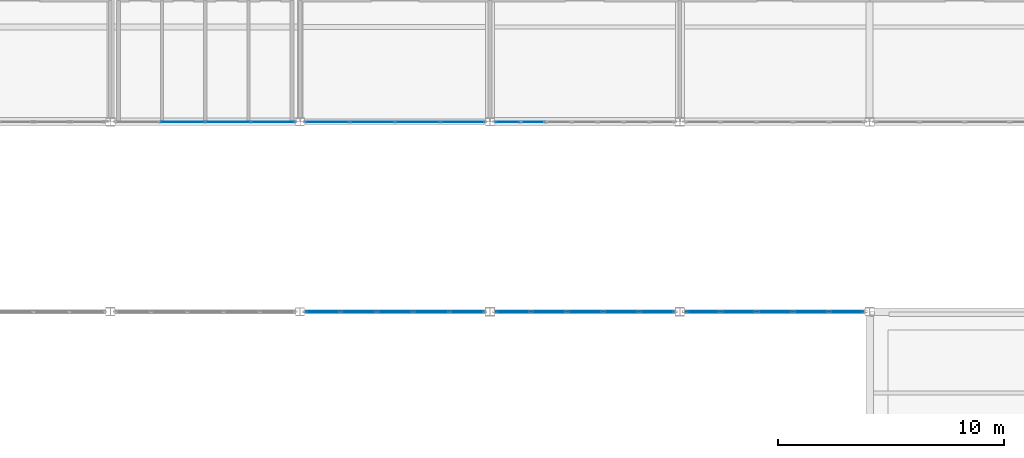
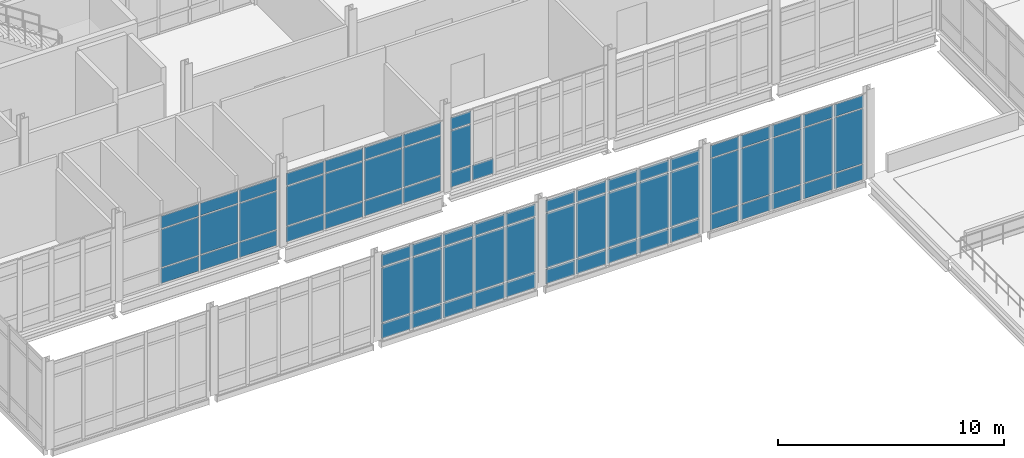
# One storey, part 119 of 186: 70 plates, 6 elements without a shape of their own.
"""IFC4 building model written with IfcOpenShell, lengths in metres."""

from ifc_helpers import new_model, si_unit, direction, frame, origin, origin_2d, place, context, subcontext, project, spatial, rectangle, extrude, material, layer, layer_set, type_object, element, aggregate, save


model = new_model("IFC4")

# Units and contexts
model_context = context("Model", 3, precision=1e-05, world=origin(), true_north=direction((0.0, 1.0)))
body_context = subcontext(model_context, "Body", "Model", "MODEL_VIEW")
ifc_project = project(units=[si_unit("LENGTHUNIT", "METRE"), si_unit("AREAUNIT", "SQUARE_METRE"), si_unit("VOLUMEUNIT", "CUBIC_METRE"), si_unit("PLANEANGLEUNIT", "RADIAN"), si_unit("MASSUNIT", "GRAM", prefix="KILO")], contexts=[model_context])

# Site, building, storey
site_placement = place(None, origin())
site = spatial("IfcSite", under=ifc_project, at=site_placement, CompositionType="ELEMENT")
building_placement = place(site_placement, origin())
building = spatial("IfcBuilding", under=site, at=building_placement, Name="Calvrana Isthmian Art Gallery", CompositionType="ELEMENT")
storey_placement = place(building_placement, frame((0.0, 0.0, 5.39990234375)))
storey = spatial("IfcBuildingStorey", under=building, at=storey_placement, Name="L01", CompositionType="ELEMENT", Elevation=5.39990234375)

# Curtain wall, plates
ifc_material_1 = material(Name="Anodized bronze aluminium 6063-T6", Category="aluminium")
ifc_layer_1 = layer(ifc_material_1, 0.179931640625, Name="Anodized bronze aluminium 6063-T6")
ifc_layer_set_1 = layer_set([ifc_layer_1], Name="Anodized bronze aluminium 6063-T6")
curtain_wall_type_1 = type_object("IfcCurtainWallType", Name="CW-STICK-080X47", PredefinedType="NOTDEFINED", material=ifc_layer_set_1)
curtain_wall_1_placement = place(storey_placement, origin())
curtain_wall_1 = element("IfcCurtainWall", 1, at=curtain_wall_1_placement, inside=storey, type_object=curtain_wall_type_1, Name="Curtain wall CW-003", PredefinedType="NOTDEFINED")
ifc_material_2 = material(Name="Low-E laminated solar glass", Category="glass")
ifc_layer_2 = layer(ifc_material_2, 0.028076171875, Name="Low-E laminated solar glass")
ifc_layer_set_2 = layer_set([ifc_layer_2], Name="Low-E laminated solar glass")
plate_type = type_object("IfcPlateType", Name="CWP-VISION-28", PredefinedType="CURTAIN_PANEL", material=ifc_layer_set_2)
plate_1_placement = place(storey_placement, frame((45.781494140625, 21.60009765625, -0.079833984375), z_axis=(0.0, 0.0, 1.0), x_axis=(-1.0, 0.0, 0.0)))
plate_1 = element("IfcPlate", 2, at=plate_1_placement, type_object=plate_type, Name="CW-003 panel 1.1", PredefinedType="CURTAIN_PANEL", context=body_context, shape_type="SweptSolid", body=[
    extrude(rectangle(XDim=1.497802734375, YDim=0.028076171875, at=origin_2d()), origin(), (0.0, 0.0, 1.0), 0.794921875),
])
plate_2_placement = place(storey_placement, frame((45.781494140625, 21.60009765625, 0.78515625), z_axis=(0.0, 0.0, 1.0), x_axis=(-1.0, 0.0, 0.0)))
plate_2 = element("IfcPlate", 3, at=plate_2_placement, type_object=plate_type, Name="CW-003 panel 1.2", PredefinedType="CURTAIN_PANEL", context=body_context, shape_type="SweptSolid", body=[
    extrude(rectangle(XDim=1.497802734375, YDim=0.028076171875, at=origin_2d()), origin(), (0.0, 0.0, 1.0), 2.949951171875),
])
plate_3_placement = place(storey_placement, frame((45.781494140625, 21.60009765625, 3.80517578125), z_axis=(0.0, 0.0, 1.0), x_axis=(-1.0, 0.0, 0.0)))
plate_3 = element("IfcPlate", 4, at=plate_3_placement, type_object=plate_type, Name="CW-003 panel 1.3", PredefinedType="CURTAIN_PANEL", context=body_context, shape_type="SweptSolid", body=[
    extrude(rectangle(XDim=1.497802734375, YDim=0.028076171875, at=origin_2d()), origin(), (0.0, 0.0, 1.0), 0.64501953125),
])
plate_4_placement = place(storey_placement, frame((44.1962890625, 21.60009765625, -0.079833984375), z_axis=(0.0, 0.0, 1.0), x_axis=(-1.0, 0.0, 0.0)))
plate_4 = element("IfcPlate", 5, at=plate_4_placement, type_object=plate_type, Name="CW-003 panel 2.1", PredefinedType="CURTAIN_PANEL", context=body_context, shape_type="SweptSolid", body=[
    extrude(rectangle(XDim=1.53271484375, YDim=0.028076171875, at=origin_2d()), origin(), (0.0, 0.0, 1.0), 0.794921875),
])
plate_5_placement = place(storey_placement, frame((44.1962890625, 21.60009765625, 0.78515625), z_axis=(0.0, 0.0, 1.0), x_axis=(-1.0, 0.0, 0.0)))
plate_5 = element("IfcPlate", 6, at=plate_5_placement, type_object=plate_type, Name="CW-003 panel 2.2", PredefinedType="CURTAIN_PANEL", context=body_context, shape_type="SweptSolid", body=[
    extrude(rectangle(XDim=1.53271484375, YDim=0.028076171875, at=origin_2d()), origin(), (0.0, 0.0, 1.0), 2.949951171875),
])
plate_6_placement = place(storey_placement, frame((44.1962890625, 21.60009765625, 3.80517578125), z_axis=(0.0, 0.0, 1.0), x_axis=(-1.0, 0.0, 0.0)))
plate_6 = element("IfcPlate", 7, at=plate_6_placement, type_object=plate_type, Name="CW-003 panel 2.3", PredefinedType="CURTAIN_PANEL", context=body_context, shape_type="SweptSolid", body=[
    extrude(rectangle(XDim=1.53271484375, YDim=0.028076171875, at=origin_2d()), origin(), (0.0, 0.0, 1.0), 0.64501953125),
])
plate_7_placement = place(storey_placement, frame((42.593505859375, 21.60009765625, -0.079833984375), z_axis=(0.0, 0.0, 1.0), x_axis=(-1.0, 0.0, 0.0)))
plate_7 = element("IfcPlate", 8, at=plate_7_placement, type_object=plate_type, Name="CW-003 panel 3.1", PredefinedType="CURTAIN_PANEL", context=body_context, shape_type="SweptSolid", body=[
    extrude(rectangle(XDim=1.53271484375, YDim=0.028076171875, at=origin_2d()), origin(), (0.0, 0.0, 1.0), 0.794921875),
])
plate_8_placement = place(storey_placement, frame((42.593505859375, 21.60009765625, 0.78515625), z_axis=(0.0, 0.0, 1.0), x_axis=(-1.0, 0.0, 0.0)))
plate_8 = element("IfcPlate", 9, at=plate_8_placement, type_object=plate_type, Name="CW-003 panel 3.2", PredefinedType="CURTAIN_PANEL", context=body_context, shape_type="SweptSolid", body=[
    extrude(rectangle(XDim=1.53271484375, YDim=0.028076171875, at=origin_2d()), origin(), (0.0, 0.0, 1.0), 2.949951171875),
])
plate_9_placement = place(storey_placement, frame((42.593505859375, 21.60009765625, 3.80517578125), z_axis=(0.0, 0.0, 1.0), x_axis=(-1.0, 0.0, 0.0)))
plate_9 = element("IfcPlate", 10, at=plate_9_placement, type_object=plate_type, Name="CW-003 panel 3.3", PredefinedType="CURTAIN_PANEL", context=body_context, shape_type="SweptSolid", body=[
    extrude(rectangle(XDim=1.53271484375, YDim=0.028076171875, at=origin_2d()), origin(), (0.0, 0.0, 1.0), 0.64501953125),
])
plate_10_placement = place(storey_placement, frame((40.99072265625, 21.60009765625, -0.079833984375), z_axis=(0.0, 0.0, 1.0), x_axis=(-1.0, 0.0, 0.0)))
plate_10 = element("IfcPlate", 11, at=plate_10_placement, type_object=plate_type, Name="CW-003 panel 4.1", PredefinedType="CURTAIN_PANEL", context=body_context, shape_type="SweptSolid", body=[
    extrude(rectangle(XDim=1.53271484375, YDim=0.028076171875, at=origin_2d()), origin(), (0.0, 0.0, 1.0), 0.794921875),
])
plate_11_placement = place(storey_placement, frame((40.99072265625, 21.60009765625, 0.78515625), z_axis=(0.0, 0.0, 1.0), x_axis=(-1.0, 0.0, 0.0)))
plate_11 = element("IfcPlate", 12, at=plate_11_placement, type_object=plate_type, Name="CW-003 panel 4.2", PredefinedType="CURTAIN_PANEL", context=body_context, shape_type="SweptSolid", body=[
    extrude(rectangle(XDim=1.53271484375, YDim=0.028076171875, at=origin_2d()), origin(), (0.0, 0.0, 1.0), 2.949951171875),
])
plate_12_placement = place(storey_placement, frame((40.99072265625, 21.60009765625, 3.80517578125), z_axis=(0.0, 0.0, 1.0), x_axis=(-1.0, 0.0, 0.0)))
plate_12 = element("IfcPlate", 13, at=plate_12_placement, type_object=plate_type, Name="CW-003 panel 4.3", PredefinedType="CURTAIN_PANEL", context=body_context, shape_type="SweptSolid", body=[
    extrude(rectangle(XDim=1.53271484375, YDim=0.028076171875, at=origin_2d()), origin(), (0.0, 0.0, 1.0), 0.64501953125),
])
plate_13_placement = place(storey_placement, frame((39.405517578125, 21.60009765625, -0.079833984375), z_axis=(0.0, 0.0, 1.0), x_axis=(-1.0, 0.0, 0.0)))
plate_13 = element("IfcPlate", 14, at=plate_13_placement, type_object=plate_type, Name="CW-003 panel 5.1", PredefinedType="CURTAIN_PANEL", context=body_context, shape_type="SweptSolid", body=[
    extrude(rectangle(XDim=1.497802734375, YDim=0.028076171875, at=origin_2d()), origin(), (0.0, 0.0, 1.0), 0.794921875),
])
plate_14_placement = place(storey_placement, frame((39.405517578125, 21.60009765625, 0.78515625), z_axis=(0.0, 0.0, 1.0), x_axis=(-1.0, 0.0, 0.0)))
plate_14 = element("IfcPlate", 15, at=plate_14_placement, type_object=plate_type, Name="CW-003 panel 5.2", PredefinedType="CURTAIN_PANEL", context=body_context, shape_type="SweptSolid", body=[
    extrude(rectangle(XDim=1.497802734375, YDim=0.028076171875, at=origin_2d()), origin(), (0.0, 0.0, 1.0), 2.949951171875),
])
plate_15_placement = place(storey_placement, frame((39.405517578125, 21.60009765625, 3.80517578125), z_axis=(0.0, 0.0, 1.0), x_axis=(-1.0, 0.0, 0.0)))
plate_15 = element("IfcPlate", 16, at=plate_15_placement, type_object=plate_type, Name="CW-003 panel 5.3", PredefinedType="CURTAIN_PANEL", context=body_context, shape_type="SweptSolid", body=[
    extrude(rectangle(XDim=1.497802734375, YDim=0.028076171875, at=origin_2d()), origin(), (0.0, 0.0, 1.0), 0.64501953125),
])
aggregate(curtain_wall_1, [plate_1, plate_2, plate_3, plate_4, plate_5, plate_6, plate_7, plate_8, plate_9, plate_10, plate_11, plate_12, plate_13, plate_14, plate_15])

curtain_wall_2_placement = place(storey_placement, origin())
curtain_wall_2 = element("IfcCurtainWall", 17, at=curtain_wall_2_placement, inside=storey, type_object=curtain_wall_type_1, Name="Curtain wall CW-004", PredefinedType="NOTDEFINED")
plate_16_placement = place(storey_placement, frame((54.18310546875, 21.60009765625, -0.074951171875), z_axis=(0.0, 0.0, 1.0), x_axis=(-1.0, 0.0, 0.0)))
plate_16 = element("IfcPlate", 18, at=plate_16_placement, type_object=plate_type, Name="CW-004 panel 1.1", PredefinedType="CURTAIN_PANEL", context=body_context, shape_type="SweptSolid", body=[
    extrude(rectangle(XDim=1.488037109375, YDim=0.028076171875, at=origin_2d()), origin(), (0.0, 0.0, 1.0), 0.78759765625),
])
plate_17_placement = place(storey_placement, frame((54.18310546875, 21.60009765625, 0.78759765625), z_axis=(0.0, 0.0, 1.0), x_axis=(-1.0, 0.0, 0.0)))
plate_17 = element("IfcPlate", 19, at=plate_17_placement, type_object=plate_type, Name="CW-004 panel 1.2", PredefinedType="CURTAIN_PANEL", context=body_context, shape_type="SweptSolid", body=[
    extrude(rectangle(XDim=1.488037109375, YDim=0.028076171875, at=origin_2d()), origin(), (0.0, 0.0, 1.0), 2.945068359375),
])
plate_18_placement = place(storey_placement, frame((54.18310546875, 21.60009765625, 3.8076171875), z_axis=(0.0, 0.0, 1.0), x_axis=(-1.0, 0.0, 0.0)))
plate_18 = element("IfcPlate", 20, at=plate_18_placement, type_object=plate_type, Name="CW-004 panel 1.3", PredefinedType="CURTAIN_PANEL", context=body_context, shape_type="SweptSolid", body=[
    extrude(rectangle(XDim=1.488037109375, YDim=0.028076171875, at=origin_2d()), origin(), (0.0, 0.0, 1.0), 0.637451171875),
])
plate_19_placement = place(storey_placement, frame((52.601318359375, 21.60009765625, -0.074951171875), z_axis=(0.0, 0.0, 1.0), x_axis=(-1.0, 0.0, 0.0)))
plate_19 = element("IfcPlate", 21, at=plate_19_placement, type_object=plate_type, Name="CW-004 panel 2.1", PredefinedType="CURTAIN_PANEL", context=body_context, shape_type="SweptSolid", body=[
    extrude(rectangle(XDim=1.525390625, YDim=0.028076171875, at=origin_2d()), origin(), (0.0, 0.0, 1.0), 0.78759765625),
])
plate_20_placement = place(storey_placement, frame((52.601318359375, 21.60009765625, 0.78759765625), z_axis=(0.0, 0.0, 1.0), x_axis=(-1.0, 0.0, 0.0)))
plate_20 = element("IfcPlate", 22, at=plate_20_placement, type_object=plate_type, Name="CW-004 panel 2.2", PredefinedType="CURTAIN_PANEL", context=body_context, shape_type="SweptSolid", body=[
    extrude(rectangle(XDim=1.525390625, YDim=0.028076171875, at=origin_2d()), origin(), (0.0, 0.0, 1.0), 2.945068359375),
])
plate_21_placement = place(storey_placement, frame((52.601318359375, 21.60009765625, 3.8076171875), z_axis=(0.0, 0.0, 1.0), x_axis=(-1.0, 0.0, 0.0)))
plate_21 = element("IfcPlate", 23, at=plate_21_placement, type_object=plate_type, Name="CW-004 panel 2.3", PredefinedType="CURTAIN_PANEL", context=body_context, shape_type="SweptSolid", body=[
    extrude(rectangle(XDim=1.525390625, YDim=0.028076171875, at=origin_2d()), origin(), (0.0, 0.0, 1.0), 0.637451171875),
])
plate_22_placement = place(storey_placement, frame((51.000732421875, 21.60009765625, -0.074951171875), z_axis=(0.0, 0.0, 1.0), x_axis=(-1.0, 0.0, 0.0)))
plate_22 = element("IfcPlate", 24, at=plate_22_placement, type_object=plate_type, Name="CW-004 panel 3.1", PredefinedType="CURTAIN_PANEL", context=body_context, shape_type="SweptSolid", body=[
    extrude(rectangle(XDim=1.525390625, YDim=0.028076171875, at=origin_2d()), origin(), (0.0, 0.0, 1.0), 0.78759765625),
])
plate_23_placement = place(storey_placement, frame((51.000732421875, 21.60009765625, 0.78759765625), z_axis=(0.0, 0.0, 1.0), x_axis=(-1.0, 0.0, 0.0)))
plate_23 = element("IfcPlate", 25, at=plate_23_placement, type_object=plate_type, Name="CW-004 panel 3.2", PredefinedType="CURTAIN_PANEL", context=body_context, shape_type="SweptSolid", body=[
    extrude(rectangle(XDim=1.525390625, YDim=0.028076171875, at=origin_2d()), origin(), (0.0, 0.0, 1.0), 2.945068359375),
])
plate_24_placement = place(storey_placement, frame((51.000732421875, 21.60009765625, 3.8076171875), z_axis=(0.0, 0.0, 1.0), x_axis=(-1.0, 0.0, 0.0)))
plate_24 = element("IfcPlate", 26, at=plate_24_placement, type_object=plate_type, Name="CW-004 panel 3.3", PredefinedType="CURTAIN_PANEL", context=body_context, shape_type="SweptSolid", body=[
    extrude(rectangle(XDim=1.525390625, YDim=0.028076171875, at=origin_2d()), origin(), (0.0, 0.0, 1.0), 0.637451171875),
])
plate_25_placement = place(storey_placement, frame((49.400146484375, 21.60009765625, -0.074951171875), z_axis=(0.0, 0.0, 1.0), x_axis=(-1.0, 0.0, 0.0)))
plate_25 = element("IfcPlate", 27, at=plate_25_placement, type_object=plate_type, Name="CW-004 panel 4.1", PredefinedType="CURTAIN_PANEL", context=body_context, shape_type="SweptSolid", body=[
    extrude(rectangle(XDim=1.525390625, YDim=0.028076171875, at=origin_2d()), origin(), (0.0, 0.0, 1.0), 0.78759765625),
])
plate_26_placement = place(storey_placement, frame((49.400146484375, 21.60009765625, 0.78759765625), z_axis=(0.0, 0.0, 1.0), x_axis=(-1.0, 0.0, 0.0)))
plate_26 = element("IfcPlate", 28, at=plate_26_placement, type_object=plate_type, Name="CW-004 panel 4.2", PredefinedType="CURTAIN_PANEL", context=body_context, shape_type="SweptSolid", body=[
    extrude(rectangle(XDim=1.525390625, YDim=0.028076171875, at=origin_2d()), origin(), (0.0, 0.0, 1.0), 2.945068359375),
])
plate_27_placement = place(storey_placement, frame((49.400146484375, 21.60009765625, 3.8076171875), z_axis=(0.0, 0.0, 1.0), x_axis=(-1.0, 0.0, 0.0)))
plate_27 = element("IfcPlate", 29, at=plate_27_placement, type_object=plate_type, Name="CW-004 panel 4.3", PredefinedType="CURTAIN_PANEL", context=body_context, shape_type="SweptSolid", body=[
    extrude(rectangle(XDim=1.525390625, YDim=0.028076171875, at=origin_2d()), origin(), (0.0, 0.0, 1.0), 0.637451171875),
])
plate_28_placement = place(storey_placement, frame((47.818603515625, 21.60009765625, -0.074951171875), z_axis=(0.0, 0.0, 1.0), x_axis=(-1.0, 0.0, 0.0)))
plate_28 = element("IfcPlate", 30, at=plate_28_placement, type_object=plate_type, Name="CW-004 panel 5.1", PredefinedType="CURTAIN_PANEL", context=body_context, shape_type="SweptSolid", body=[
    extrude(rectangle(XDim=1.488037109375, YDim=0.028076171875, at=origin_2d()), origin(), (0.0, 0.0, 1.0), 0.78759765625),
])
plate_29_placement = place(storey_placement, frame((47.818603515625, 21.60009765625, 0.78759765625), z_axis=(0.0, 0.0, 1.0), x_axis=(-1.0, 0.0, 0.0)))
plate_29 = element("IfcPlate", 31, at=plate_29_placement, type_object=plate_type, Name="CW-004 panel 5.2", PredefinedType="CURTAIN_PANEL", context=body_context, shape_type="SweptSolid", body=[
    extrude(rectangle(XDim=1.488037109375, YDim=0.028076171875, at=origin_2d()), origin(), (0.0, 0.0, 1.0), 2.945068359375),
])
plate_30_placement = place(storey_placement, frame((47.818603515625, 21.60009765625, 3.8076171875), z_axis=(0.0, 0.0, 1.0), x_axis=(-1.0, 0.0, 0.0)))
plate_30 = element("IfcPlate", 32, at=plate_30_placement, type_object=plate_type, Name="CW-004 panel 5.3", PredefinedType="CURTAIN_PANEL", context=body_context, shape_type="SweptSolid", body=[
    extrude(rectangle(XDim=1.488037109375, YDim=0.028076171875, at=origin_2d()), origin(), (0.0, 0.0, 1.0), 0.637451171875),
])
aggregate(curtain_wall_2, [plate_16, plate_17, plate_18, plate_19, plate_20, plate_21, plate_22, plate_23, plate_24, plate_25, plate_26, plate_27, plate_28, plate_29, plate_30])

curtain_wall_3_placement = place(storey_placement, origin())
curtain_wall_3 = element("IfcCurtainWall", 33, at=curtain_wall_3_placement, inside=storey, type_object=curtain_wall_type_1, Name="Curtain wall CW-005", PredefinedType="NOTDEFINED")
plate_31_placement = place(storey_placement, frame((62.58251953125, 21.60009765625, -0.08984375), z_axis=(0.0, 0.0, 1.0), x_axis=(-1.0, 0.0, 0.0)))
plate_31 = element("IfcPlate", 34, at=plate_31_placement, type_object=plate_type, Name="CW-005 panel 1.1", PredefinedType="CURTAIN_PANEL", context=body_context, shape_type="SweptSolid", body=[
    extrude(rectangle(XDim=1.48095703125, YDim=0.028076171875, at=origin_2d()), origin(), (0.0, 0.0, 1.0), 0.81005859375),
])
plate_32_placement = place(storey_placement, frame((62.58251953125, 21.60009765625, 0.780029296875), z_axis=(0.0, 0.0, 1.0), x_axis=(-1.0, 0.0, 0.0)))
plate_32 = element("IfcPlate", 35, at=plate_32_placement, type_object=plate_type, Name="CW-005 panel 1.2", PredefinedType="CURTAIN_PANEL", context=body_context, shape_type="SweptSolid", body=[
    extrude(rectangle(XDim=1.48095703125, YDim=0.028076171875, at=origin_2d()), origin(), (0.0, 0.0, 1.0), 2.9599609375),
])
plate_33_placement = place(storey_placement, frame((62.58251953125, 21.60009765625, 3.80029296875), z_axis=(0.0, 0.0, 1.0), x_axis=(-1.0, 0.0, 0.0)))
plate_33 = element("IfcPlate", 36, at=plate_33_placement, type_object=plate_type, Name="CW-005 panel 1.3", PredefinedType="CURTAIN_PANEL", context=body_context, shape_type="SweptSolid", body=[
    extrude(rectangle(XDim=1.48095703125, YDim=0.028076171875, at=origin_2d()), origin(), (0.0, 0.0, 1.0), 0.659912109375),
])
plate_34_placement = place(storey_placement, frame((61.00146484375, 21.60009765625, -0.08984375), z_axis=(0.0, 0.0, 1.0), x_axis=(-1.0, 0.0, 0.0)))
plate_34 = element("IfcPlate", 37, at=plate_34_placement, type_object=plate_type, Name="CW-005 panel 2.1", PredefinedType="CURTAIN_PANEL", context=body_context, shape_type="SweptSolid", body=[
    extrude(rectangle(XDim=1.52099609375, YDim=0.028076171875, at=origin_2d()), origin(), (0.0, 0.0, 1.0), 0.81005859375),
])
plate_35_placement = place(storey_placement, frame((61.00146484375, 21.60009765625, 0.780029296875), z_axis=(0.0, 0.0, 1.0), x_axis=(-1.0, 0.0, 0.0)))
plate_35 = element("IfcPlate", 38, at=plate_35_placement, type_object=plate_type, Name="CW-005 panel 2.2", PredefinedType="CURTAIN_PANEL", context=body_context, shape_type="SweptSolid", body=[
    extrude(rectangle(XDim=1.52099609375, YDim=0.028076171875, at=origin_2d()), origin(), (0.0, 0.0, 1.0), 2.9599609375),
])
plate_36_placement = place(storey_placement, frame((61.00146484375, 21.60009765625, 3.80029296875), z_axis=(0.0, 0.0, 1.0), x_axis=(-1.0, 0.0, 0.0)))
plate_36 = element("IfcPlate", 39, at=plate_36_placement, type_object=plate_type, Name="CW-005 panel 2.3", PredefinedType="CURTAIN_PANEL", context=body_context, shape_type="SweptSolid", body=[
    extrude(rectangle(XDim=1.52099609375, YDim=0.028076171875, at=origin_2d()), origin(), (0.0, 0.0, 1.0), 0.659912109375),
])
plate_37_placement = place(storey_placement, frame((59.400390625, 21.60009765625, -0.08984375), z_axis=(0.0, 0.0, 1.0), x_axis=(-1.0, 0.0, 0.0)))
plate_37 = element("IfcPlate", 40, at=plate_37_placement, type_object=plate_type, Name="CW-005 panel 3.1", PredefinedType="CURTAIN_PANEL", context=body_context, shape_type="SweptSolid", body=[
    extrude(rectangle(XDim=1.52099609375, YDim=0.028076171875, at=origin_2d()), origin(), (0.0, 0.0, 1.0), 0.81005859375),
])
plate_38_placement = place(storey_placement, frame((59.400390625, 21.60009765625, 0.780029296875), z_axis=(0.0, 0.0, 1.0), x_axis=(-1.0, 0.0, 0.0)))
plate_38 = element("IfcPlate", 41, at=plate_38_placement, type_object=plate_type, Name="CW-005 panel 3.2", PredefinedType="CURTAIN_PANEL", context=body_context, shape_type="SweptSolid", body=[
    extrude(rectangle(XDim=1.52099609375, YDim=0.028076171875, at=origin_2d()), origin(), (0.0, 0.0, 1.0), 2.9599609375),
])
plate_39_placement = place(storey_placement, frame((59.400390625, 21.60009765625, 3.80029296875), z_axis=(0.0, 0.0, 1.0), x_axis=(-1.0, 0.0, 0.0)))
plate_39 = element("IfcPlate", 42, at=plate_39_placement, type_object=plate_type, Name="CW-005 panel 3.3", PredefinedType="CURTAIN_PANEL", context=body_context, shape_type="SweptSolid", body=[
    extrude(rectangle(XDim=1.52099609375, YDim=0.028076171875, at=origin_2d()), origin(), (0.0, 0.0, 1.0), 0.659912109375),
])
plate_40_placement = place(storey_placement, frame((57.799560546875, 21.60009765625, -0.08984375), z_axis=(0.0, 0.0, 1.0), x_axis=(-1.0, 0.0, 0.0)))
plate_40 = element("IfcPlate", 43, at=plate_40_placement, type_object=plate_type, Name="CW-005 panel 4.1", PredefinedType="CURTAIN_PANEL", context=body_context, shape_type="SweptSolid", body=[
    extrude(rectangle(XDim=1.52099609375, YDim=0.028076171875, at=origin_2d()), origin(), (0.0, 0.0, 1.0), 0.81005859375),
])
plate_41_placement = place(storey_placement, frame((57.799560546875, 21.60009765625, 0.780029296875), z_axis=(0.0, 0.0, 1.0), x_axis=(-1.0, 0.0, 0.0)))
plate_41 = element("IfcPlate", 44, at=plate_41_placement, type_object=plate_type, Name="CW-005 panel 4.2", PredefinedType="CURTAIN_PANEL", context=body_context, shape_type="SweptSolid", body=[
    extrude(rectangle(XDim=1.52099609375, YDim=0.028076171875, at=origin_2d()), origin(), (0.0, 0.0, 1.0), 2.9599609375),
])
plate_42_placement = place(storey_placement, frame((57.799560546875, 21.60009765625, 3.80029296875), z_axis=(0.0, 0.0, 1.0), x_axis=(-1.0, 0.0, 0.0)))
plate_42 = element("IfcPlate", 45, at=plate_42_placement, type_object=plate_type, Name="CW-005 panel 4.3", PredefinedType="CURTAIN_PANEL", context=body_context, shape_type="SweptSolid", body=[
    extrude(rectangle(XDim=1.52099609375, YDim=0.028076171875, at=origin_2d()), origin(), (0.0, 0.0, 1.0), 0.659912109375),
])
plate_43_placement = place(storey_placement, frame((56.218505859375, 21.60009765625, -0.08984375), z_axis=(0.0, 0.0, 1.0), x_axis=(-1.0, 0.0, 0.0)))
plate_43 = element("IfcPlate", 46, at=plate_43_placement, type_object=plate_type, Name="CW-005 panel 5.1", PredefinedType="CURTAIN_PANEL", context=body_context, shape_type="SweptSolid", body=[
    extrude(rectangle(XDim=1.48095703125, YDim=0.028076171875, at=origin_2d()), origin(), (0.0, 0.0, 1.0), 0.81005859375),
])
plate_44_placement = place(storey_placement, frame((56.218505859375, 21.60009765625, 0.780029296875), z_axis=(0.0, 0.0, 1.0), x_axis=(-1.0, 0.0, 0.0)))
plate_44 = element("IfcPlate", 47, at=plate_44_placement, type_object=plate_type, Name="CW-005 panel 5.2", PredefinedType="CURTAIN_PANEL", context=body_context, shape_type="SweptSolid", body=[
    extrude(rectangle(XDim=1.48095703125, YDim=0.028076171875, at=origin_2d()), origin(), (0.0, 0.0, 1.0), 2.9599609375),
])
plate_45_placement = place(storey_placement, frame((56.218505859375, 21.60009765625, 3.80029296875), z_axis=(0.0, 0.0, 1.0), x_axis=(-1.0, 0.0, 0.0)))
plate_45 = element("IfcPlate", 48, at=plate_45_placement, type_object=plate_type, Name="CW-005 panel 5.3", PredefinedType="CURTAIN_PANEL", context=body_context, shape_type="SweptSolid", body=[
    extrude(rectangle(XDim=1.48095703125, YDim=0.028076171875, at=origin_2d()), origin(), (0.0, 0.0, 1.0), 0.659912109375),
])
aggregate(curtain_wall_3, [plate_31, plate_32, plate_33, plate_34, plate_35, plate_36, plate_37, plate_38, plate_39, plate_40, plate_41, plate_42, plate_43, plate_44, plate_45])

ifc_layer_3 = layer(ifc_material_1, 0.179931640625, Name="Anodized bronze aluminium 6063-T6")
ifc_layer_set_3 = layer_set([ifc_layer_3], Name="Anodized bronze aluminium 6063-T6")
curtain_wall_type_2 = type_object("IfcCurtainWallType", Name="CW-UNIT-080X38", PredefinedType="USERDEFINED", material=ifc_layer_set_3)
curtain_wall_4_placement = place(storey_placement, origin())
curtain_wall_4 = element("IfcCurtainWall", 49, at=curtain_wall_4_placement, inside=storey, type_object=curtain_wall_type_2, Name="Curtain wall CW-090", ObjectType="UNITISED CURTAIN WALL", PredefinedType="USERDEFINED")
plate_46_placement = place(storey_placement, frame((37.196044921875, 30.0, 0.06005859375), z_axis=(0.0, 0.0, 1.0), x_axis=(-1.0, 0.0, 0.0)))
plate_46 = element("IfcPlate", 50, at=plate_46_placement, type_object=plate_type, Name="CW-090 panel 1.1", PredefinedType="CURTAIN_PANEL", context=body_context, shape_type="SweptSolid", body=[
    extrude(rectangle(XDim=1.9169921875, YDim=0.028076171875, at=origin_2d()), origin(), (0.0, 0.0, 1.0), 0.81005859375),
])
plate_47_placement = place(storey_placement, frame((37.196044921875, 30.0, 0.93017578125), z_axis=(0.0, 0.0, 1.0), x_axis=(-1.0, 0.0, 0.0)))
plate_47 = element("IfcPlate", 51, at=plate_47_placement, type_object=plate_type, Name="CW-090 panel 1.2", PredefinedType="CURTAIN_PANEL", context=body_context, shape_type="SweptSolid", body=[
    extrude(rectangle(XDim=1.9169921875, YDim=0.028076171875, at=origin_2d()), origin(), (0.0, 0.0, 1.0), 2.048095703125),
])
plate_48_placement = place(storey_placement, frame((37.196044921875, 30.0, 3.0380859375), z_axis=(0.0, 0.0, 1.0), x_axis=(-1.0, 0.0, 0.0)))
plate_48 = element("IfcPlate", 52, at=plate_48_placement, type_object=plate_type, Name="CW-090 panel 1.3", PredefinedType="CURTAIN_PANEL", context=body_context, shape_type="SweptSolid", body=[
    extrude(rectangle(XDim=1.9169921875, YDim=0.028076171875, at=origin_2d()), origin(), (0.0, 0.0, 1.0), 0.659912109375),
])
plate_49_placement = place(storey_placement, frame((35.2041015625, 30.0, 0.06005859375), z_axis=(0.0, 0.0, 1.0), x_axis=(-1.0, 0.0, 0.0)))
plate_49 = element("IfcPlate", 53, at=plate_49_placement, type_object=plate_type, Name="CW-090 panel 2.1", PredefinedType="CURTAIN_PANEL", context=body_context, shape_type="SweptSolid", body=[
    extrude(rectangle(XDim=1.947021484375, YDim=0.028076171875, at=origin_2d()), origin(), (0.0, 0.0, 1.0), 0.81005859375),
])
plate_50_placement = place(storey_placement, frame((35.2041015625, 30.0, 0.93017578125), z_axis=(0.0, 0.0, 1.0), x_axis=(-1.0, 0.0, 0.0)))
plate_50 = element("IfcPlate", 54, at=plate_50_placement, type_object=plate_type, Name="CW-090 panel 2.2", PredefinedType="CURTAIN_PANEL", context=body_context, shape_type="SweptSolid", body=[
    extrude(rectangle(XDim=1.947021484375, YDim=0.028076171875, at=origin_2d()), origin(), (0.0, 0.0, 1.0), 2.048095703125),
])
plate_51_placement = place(storey_placement, frame((35.2041015625, 30.0, 3.0380859375), z_axis=(0.0, 0.0, 1.0), x_axis=(-1.0, 0.0, 0.0)))
plate_51 = element("IfcPlate", 55, at=plate_51_placement, type_object=plate_type, Name="CW-090 panel 2.3", PredefinedType="CURTAIN_PANEL", context=body_context, shape_type="SweptSolid", body=[
    extrude(rectangle(XDim=1.947021484375, YDim=0.028076171875, at=origin_2d()), origin(), (0.0, 0.0, 1.0), 0.659912109375),
])
plate_52_placement = place(storey_placement, frame((33.197021484375, 30.0, 0.06005859375), z_axis=(0.0, 0.0, 1.0), x_axis=(-1.0, 0.0, 0.0)))
plate_52 = element("IfcPlate", 56, at=plate_52_placement, type_object=plate_type, Name="CW-090 panel 3.1", PredefinedType="CURTAIN_PANEL", context=body_context, shape_type="SweptSolid", body=[
    extrude(rectangle(XDim=1.947021484375, YDim=0.028076171875, at=origin_2d()), origin(), (0.0, 0.0, 1.0), 0.81005859375),
])
plate_53_placement = place(storey_placement, frame((33.197021484375, 30.0, 0.93017578125), z_axis=(0.0, 0.0, 1.0), x_axis=(-1.0, 0.0, 0.0)))
plate_53 = element("IfcPlate", 57, at=plate_53_placement, type_object=plate_type, Name="CW-090 panel 3.2", PredefinedType="CURTAIN_PANEL", context=body_context, shape_type="SweptSolid", body=[
    extrude(rectangle(XDim=1.947021484375, YDim=0.028076171875, at=origin_2d()), origin(), (0.0, 0.0, 1.0), 2.048095703125),
])
plate_54_placement = place(storey_placement, frame((33.197021484375, 30.0, 3.0380859375), z_axis=(0.0, 0.0, 1.0), x_axis=(-1.0, 0.0, 0.0)))
plate_54 = element("IfcPlate", 58, at=plate_54_placement, type_object=plate_type, Name="CW-090 panel 3.3", PredefinedType="CURTAIN_PANEL", context=body_context, shape_type="SweptSolid", body=[
    extrude(rectangle(XDim=1.947021484375, YDim=0.028076171875, at=origin_2d()), origin(), (0.0, 0.0, 1.0), 0.659912109375),
])
aggregate(curtain_wall_4, [plate_46, plate_47, plate_48, plate_49, plate_50, plate_51, plate_52, plate_53, plate_54])

curtain_wall_5_placement = place(storey_placement, origin())
curtain_wall_5 = element("IfcCurtainWall", 59, at=curtain_wall_5_placement, inside=storey, type_object=curtain_wall_type_2, Name="Curtain wall CW-091", ObjectType="UNITISED CURTAIN WALL", PredefinedType="USERDEFINED")
plate_55_placement = place(storey_placement, frame((45.59716796875, 30.0, 0.06005859375), z_axis=(0.0, 0.0, 1.0), x_axis=(-1.0, 0.0, 0.0)))
plate_55 = element("IfcPlate", 60, at=plate_55_placement, type_object=plate_type, Name="CW-091 panel 1.1", PredefinedType="CURTAIN_PANEL", context=body_context, shape_type="SweptSolid", body=[
    extrude(rectangle(XDim=1.917724609375, YDim=0.028076171875, at=origin_2d()), origin(), (0.0, 0.0, 1.0), 0.81005859375),
])
plate_56_placement = place(storey_placement, frame((45.59716796875, 30.0, 0.93017578125), z_axis=(0.0, 0.0, 1.0), x_axis=(-1.0, 0.0, 0.0)))
plate_56 = element("IfcPlate", 61, at=plate_56_placement, type_object=plate_type, Name="CW-091 panel 1.2", PredefinedType="CURTAIN_PANEL", context=body_context, shape_type="SweptSolid", body=[
    extrude(rectangle(XDim=1.917724609375, YDim=0.028076171875, at=origin_2d()), origin(), (0.0, 0.0, 1.0), 2.116943359375),
])
plate_57_placement = place(storey_placement, frame((45.59716796875, 30.0, 3.10693359375), z_axis=(0.0, 0.0, 1.0), x_axis=(-1.0, 0.0, 0.0)))
plate_57 = element("IfcPlate", 62, at=plate_57_placement, type_object=plate_type, Name="CW-091 panel 1.3", PredefinedType="CURTAIN_PANEL", context=body_context, shape_type="SweptSolid", body=[
    extrude(rectangle(XDim=1.917724609375, YDim=0.028076171875, at=origin_2d()), origin(), (0.0, 0.0, 1.0), 0.659912109375),
])
plate_58_placement = place(storey_placement, frame((43.6044921875, 30.0, 0.06005859375), z_axis=(0.0, 0.0, 1.0), x_axis=(-1.0, 0.0, 0.0)))
plate_58 = element("IfcPlate", 63, at=plate_58_placement, type_object=plate_type, Name="CW-091 panel 2.1", PredefinedType="CURTAIN_PANEL", context=body_context, shape_type="SweptSolid", body=[
    extrude(rectangle(XDim=1.947509765625, YDim=0.028076171875, at=origin_2d()), origin(), (0.0, 0.0, 1.0), 0.81005859375),
])
plate_59_placement = place(storey_placement, frame((43.6044921875, 30.0, 0.93017578125), z_axis=(0.0, 0.0, 1.0), x_axis=(-1.0, 0.0, 0.0)))
plate_59 = element("IfcPlate", 64, at=plate_59_placement, type_object=plate_type, Name="CW-091 panel 2.2", PredefinedType="CURTAIN_PANEL", context=body_context, shape_type="SweptSolid", body=[
    extrude(rectangle(XDim=1.947509765625, YDim=0.028076171875, at=origin_2d()), origin(), (0.0, 0.0, 1.0), 2.116943359375),
])
plate_60_placement = place(storey_placement, frame((43.6044921875, 30.0, 3.10693359375), z_axis=(0.0, 0.0, 1.0), x_axis=(-1.0, 0.0, 0.0)))
plate_60 = element("IfcPlate", 65, at=plate_60_placement, type_object=plate_type, Name="CW-091 panel 2.3", PredefinedType="CURTAIN_PANEL", context=body_context, shape_type="SweptSolid", body=[
    extrude(rectangle(XDim=1.947509765625, YDim=0.028076171875, at=origin_2d()), origin(), (0.0, 0.0, 1.0), 0.659912109375),
])
plate_61_placement = place(storey_placement, frame((41.596923828125, 30.0, 0.06005859375), z_axis=(0.0, 0.0, 1.0), x_axis=(-1.0, 0.0, 0.0)))
plate_61 = element("IfcPlate", 66, at=plate_61_placement, type_object=plate_type, Name="CW-091 panel 3.1", PredefinedType="CURTAIN_PANEL", context=body_context, shape_type="SweptSolid", body=[
    extrude(rectangle(XDim=1.947509765625, YDim=0.028076171875, at=origin_2d()), origin(), (0.0, 0.0, 1.0), 0.81005859375),
])
plate_62_placement = place(storey_placement, frame((41.596923828125, 30.0, 0.93017578125), z_axis=(0.0, 0.0, 1.0), x_axis=(-1.0, 0.0, 0.0)))
plate_62 = element("IfcPlate", 67, at=plate_62_placement, type_object=plate_type, Name="CW-091 panel 3.2", PredefinedType="CURTAIN_PANEL", context=body_context, shape_type="SweptSolid", body=[
    extrude(rectangle(XDim=1.947509765625, YDim=0.028076171875, at=origin_2d()), origin(), (0.0, 0.0, 1.0), 2.116943359375),
])
plate_63_placement = place(storey_placement, frame((41.596923828125, 30.0, 3.10693359375), z_axis=(0.0, 0.0, 1.0), x_axis=(-1.0, 0.0, 0.0)))
plate_63 = element("IfcPlate", 68, at=plate_63_placement, type_object=plate_type, Name="CW-091 panel 3.3", PredefinedType="CURTAIN_PANEL", context=body_context, shape_type="SweptSolid", body=[
    extrude(rectangle(XDim=1.947509765625, YDim=0.028076171875, at=origin_2d()), origin(), (0.0, 0.0, 1.0), 0.659912109375),
])
plate_64_placement = place(storey_placement, frame((39.604248046875, 30.0, 0.06005859375), z_axis=(0.0, 0.0, 1.0), x_axis=(-1.0, 0.0, 0.0)))
plate_64 = element("IfcPlate", 69, at=plate_64_placement, type_object=plate_type, Name="CW-091 panel 4.1", PredefinedType="CURTAIN_PANEL", context=body_context, shape_type="SweptSolid", body=[
    extrude(rectangle(XDim=1.917724609375, YDim=0.028076171875, at=origin_2d()), origin(), (0.0, 0.0, 1.0), 0.81005859375),
])
plate_65_placement = place(storey_placement, frame((39.604248046875, 30.0, 0.93017578125), z_axis=(0.0, 0.0, 1.0), x_axis=(-1.0, 0.0, 0.0)))
plate_65 = element("IfcPlate", 70, at=plate_65_placement, type_object=plate_type, Name="CW-091 panel 4.2", PredefinedType="CURTAIN_PANEL", context=body_context, shape_type="SweptSolid", body=[
    extrude(rectangle(XDim=1.917724609375, YDim=0.028076171875, at=origin_2d()), origin(), (0.0, 0.0, 1.0), 2.116943359375),
])
plate_66_placement = place(storey_placement, frame((39.604248046875, 30.0, 3.10693359375), z_axis=(0.0, 0.0, 1.0), x_axis=(-1.0, 0.0, 0.0)))
plate_66 = element("IfcPlate", 71, at=plate_66_placement, type_object=plate_type, Name="CW-091 panel 4.3", PredefinedType="CURTAIN_PANEL", context=body_context, shape_type="SweptSolid", body=[
    extrude(rectangle(XDim=1.917724609375, YDim=0.028076171875, at=origin_2d()), origin(), (0.0, 0.0, 1.0), 0.659912109375),
])
aggregate(curtain_wall_5, [plate_55, plate_56, plate_57, plate_58, plate_59, plate_60, plate_61, plate_62, plate_63, plate_64, plate_65, plate_66])

ifc_layer_4 = layer(ifc_material_1, 0.179931640625, Name="Anodized bronze aluminium 6063-T6")
ifc_layer_set_4 = layer_set([ifc_layer_4], Name="Anodized bronze aluminium 6063-T6")
curtain_wall_type_3 = type_object("IfcCurtainWallType", Name="CW-STICK-080X39", PredefinedType="NOTDEFINED", material=ifc_layer_set_4)
curtain_wall_6_placement = place(storey_placement, origin())
curtain_wall_6 = element("IfcCurtainWall", 72, at=curtain_wall_6_placement, inside=storey, type_object=curtain_wall_type_3, Name="Curtain wall CW-092", PredefinedType="NOTDEFINED")
plate_67_placement = place(storey_placement, frame((48.701904296875, 30.0, 0.06494140625), z_axis=(0.0, 0.0, 1.0), x_axis=(-1.0, 0.0, 0.0)))
plate_67 = element("IfcPlate", 73, at=plate_67_placement, type_object=plate_type, Name="CW-092 panel 6.1", PredefinedType="CURTAIN_PANEL", context=body_context, shape_type="SweptSolid", body=[
    extrude(rectangle(XDim=1.080322265625, YDim=0.028076171875, at=origin_2d()), origin(), (0.0, 0.0, 1.0), 0.802490234375),
])
plate_68_placement = place(storey_placement, frame((47.57275390625, 30.0, 0.06494140625), z_axis=(0.0, 0.0, 1.0), x_axis=(-1.0, 0.0, 0.0)))
plate_68 = element("IfcPlate", 74, at=plate_68_placement, type_object=plate_type, Name="CW-092 panel 7.1", PredefinedType="CURTAIN_PANEL", context=body_context, shape_type="SweptSolid", body=[
    extrude(rectangle(XDim=1.047607421875, YDim=0.028076171875, at=origin_2d()), origin(), (0.0, 0.0, 1.0), 0.802490234375),
])
plate_69_placement = place(storey_placement, frame((47.57275390625, 30.0, 0.9326171875), z_axis=(0.0, 0.0, 1.0), x_axis=(-1.0, 0.0, 0.0)))
plate_69 = element("IfcPlate", 75, at=plate_69_placement, type_object=plate_type, Name="CW-092 panel 7.2", PredefinedType="CURTAIN_PANEL", context=body_context, shape_type="SweptSolid", body=[
    extrude(rectangle(XDim=1.047607421875, YDim=0.028076171875, at=origin_2d()), origin(), (0.0, 0.0, 1.0), 2.18310546875),
])
plate_70_placement = place(storey_placement, frame((47.57275390625, 30.0, 3.1806640625), z_axis=(0.0, 0.0, 1.0), x_axis=(-1.0, 0.0, 0.0)))
plate_70 = element("IfcPlate", 76, at=plate_70_placement, type_object=plate_type, Name="CW-092 panel 7.3", PredefinedType="CURTAIN_PANEL", context=body_context, shape_type="SweptSolid", body=[
    extrude(rectangle(XDim=1.047607421875, YDim=0.028076171875, at=origin_2d()), origin(), (0.0, 0.0, 1.0), 0.652587890625),
])
aggregate(curtain_wall_6, [plate_67, plate_68, plate_69, plate_70])

save(model, "model.ifc")
